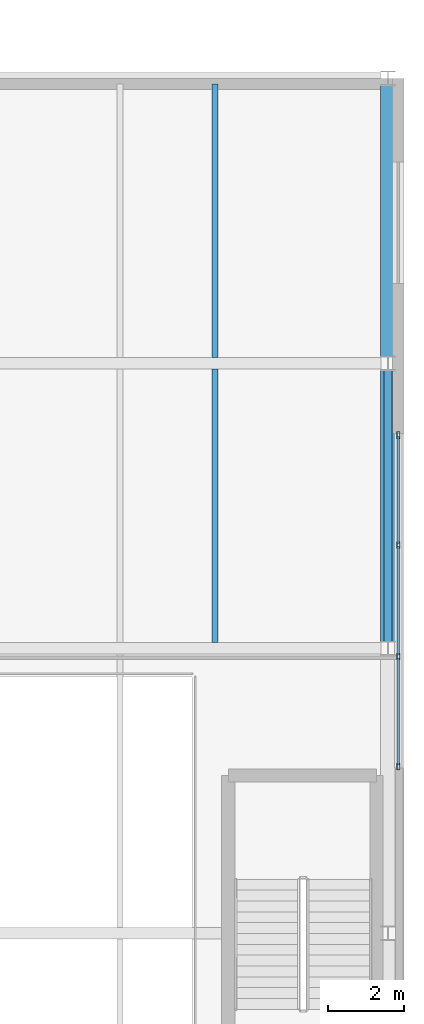
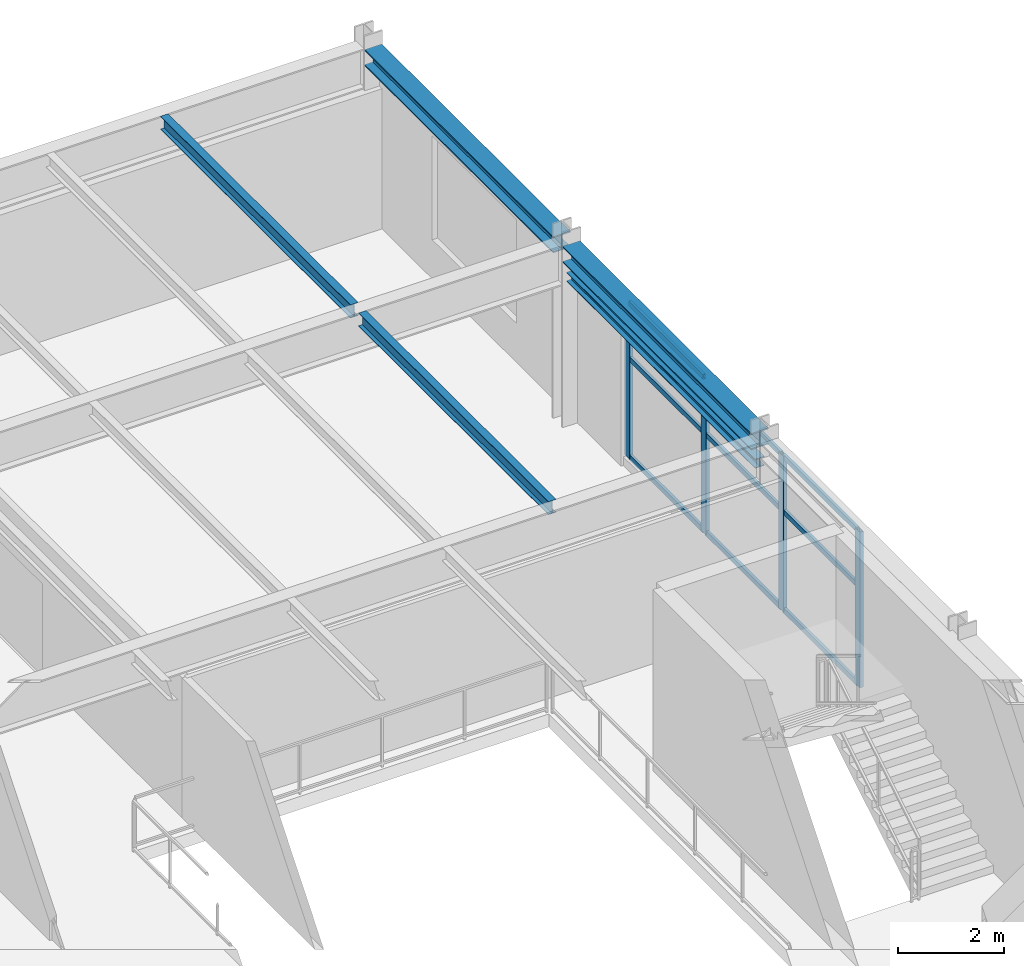
# One storey, part 9 of 16: 13 members, 5 beams, 1 element without a shape of its own.
"""IFC4 building model written with IfcOpenShell, lengths in metres."""

from ifc_helpers import new_model, si_unit, direction, frame, origin, origin_2d, place, context, subcontext, project, spatial, hollow_rectangle, i_section, extrude, material, layer, layer_set, material_profile, profile_set, type_object, element, aggregate, save


model = new_model("IFC4")

# Units and contexts
model_context = context("Model", 3, precision=1e-05, world=origin(), true_north=direction((0.0, 1.0)))
body_context = subcontext(model_context, "Body", "Model", "MODEL_VIEW")
ifc_project = project(units=[si_unit("LENGTHUNIT", "METRE"), si_unit("AREAUNIT", "SQUARE_METRE"), si_unit("VOLUMEUNIT", "CUBIC_METRE"), si_unit("PLANEANGLEUNIT", "RADIAN"), si_unit("MASSUNIT", "GRAM", prefix="KILO")], contexts=[model_context])

# Site, building, storey
site_placement = place(None, origin())
site = spatial("IfcSite", under=ifc_project, at=site_placement, CompositionType="ELEMENT")
building_placement = place(site_placement, origin())
building = spatial("IfcBuilding", under=site, at=building_placement, Name="Mersakhor Tower and Convention Hall", CompositionType="ELEMENT")
storey_placement = place(building_placement, frame((0.0, 0.0, 5.10009765625)))
storey = spatial("IfcBuildingStorey", under=building, at=storey_placement, Name="L01", CompositionType="ELEMENT", Elevation=5.10009765625)

# Beams
ifc_material_1 = material(Name="Steel S355", Category="steel")
ifc_material_profile_1 = material_profile(ifc_material_1, i_section(OverallWidth=0.165771484375, OverallDepth=0.306640625, WebThickness=0.006591796875, FlangeThickness=0.01171875, at=origin_2d()), Name="UB 305x165x46")
ifc_profile_set_1 = profile_set([ifc_material_profile_1], Name="Steel S355")
beam_type_1 = type_object("IfcBeamType", Name="BM-JST-305", PredefinedType="JOIST", material=ifc_profile_set_1)
for number, where, z_axis, x_axis, name in (
    (1, (72.10009765625, 33.40380859375, 4.026611328125), (0.0, 1.0, 0.0), (-1.0, 0.0, 0.0), "Convention L01 Composite Floor Joist CJ-5-72"),
    (2, (72.10009765625, 40.90380859375, 4.026611328125), (0.0, 1.0, 0.0), (-1.0, 0.0, 0.0), "Convention L01 Composite Floor Joist CJ-6-72"),
):
    element("IfcBeam", number, at=place(storey_placement, frame(where, z_axis=z_axis, x_axis=x_axis)), inside=storey, type_object=beam_type_1, Name=name, PredefinedType="JOIST", context=body_context, shape_type="SweptSolid", body=[
        extrude(i_section(OverallWidth=0.165771484375, OverallDepth=0.306640625, WebThickness=0.006591796875, FlangeThickness=0.01171875, at=origin_2d()), origin(), (0.0, 0.0, 1.0), 7.1923828125),
    ])
ifc_material_2 = material(Name="Steel S355", Category="steel")
ifc_material_profile_2 = material_profile(ifc_material_2, i_section(OverallWidth=0.205810546875, OverallDepth=0.209716796875, WebThickness=0.009521484375, FlangeThickness=0.01416015625, at=origin_2d()), Name="UC 203x203x60")
ifc_profile_set_2 = profile_set([ifc_material_profile_2], Name="Steel S355")
beam_type_2 = type_object("IfcBeamType", Name="BM-LNT-UC203", PredefinedType="LINTEL", material=ifc_profile_set_2)
beam_placement = place(storey_placement, frame((76.64990234375, 33.429931640625, 3.449951171875), z_axis=(0.0, 1.0, 0.0), x_axis=(-1.0, 0.0, 0.0)))
element("IfcBeam", 3, at=beam_placement, inside=storey, type_object=beam_type_2, Name="Convention L01 Opening Lintel Beam LNT-5", PredefinedType="LINTEL", context=body_context, shape_type="SweptSolid", body=[
    extrude(i_section(OverallWidth=0.205810546875, OverallDepth=0.209716796875, WebThickness=0.009521484375, FlangeThickness=0.01416015625, at=origin_2d()), origin(), (0.0, 0.0, 1.0), 7.14013671875),
])
ifc_material_3 = material(Name="Steel S355", Category="steel")
ifc_material_profile_3 = material_profile(ifc_material_3, i_section(OverallWidth=0.374755859375, OverallDepth=0.37451171875, WebThickness=0.0166015625, FlangeThickness=0.027099609375, at=origin_2d()), Name="UC 356x368x202")
ifc_profile_set_3 = profile_set([ifc_material_profile_3], Name="Steel S355")
beam_type_3 = type_object("IfcBeamType", Name="BM-SPD-UC356", PredefinedType="SPANDREL", material=ifc_profile_set_3)
for number, where, z_axis, x_axis, name in (
    (4, (76.64990234375, 33.429931640625, 3.992919921875), (0.0, 1.0, 0.0), (-1.0, 0.0, 0.0), "Convention L01 Edge Spandrel E5"),
    (5, (76.64990234375, 40.929931640625, 3.992919921875), (0.0, 1.0, 0.0), (-1.0, 0.0, 0.0), "Convention L01 Edge Spandrel E6"),
):
    element("IfcBeam", number, at=place(storey_placement, frame(where, z_axis=z_axis, x_axis=x_axis)), inside=storey, type_object=beam_type_3, Name=name, PredefinedType="SPANDREL", context=body_context, shape_type="SweptSolid", body=[
        extrude(i_section(OverallWidth=0.374755859375, OverallDepth=0.37451171875, WebThickness=0.0166015625, FlangeThickness=0.027099609375, at=origin_2d()), origin(), (0.0, 0.0, 1.0), 7.14013671875),
    ])

# Curtain wall, members
ifc_material_4 = material(Name="Dark solar low-E aluminium curtain wall", Category="aluminium")
ifc_layer = layer(ifc_material_4, 0.219970703125)
ifc_layer_set = layer_set([ifc_layer], Name="Dark solar low-E aluminium curtain wall")
curtain_wall_type = type_object("IfcCurtainWallType", Name="CW-SYS-07", PredefinedType="USERDEFINED", material=ifc_layer_set)
curtain_wall_placement = place(storey_placement, origin())
curtain_wall = element("IfcCurtainWall", 6, at=curtain_wall_placement, inside=storey, type_object=curtain_wall_type, Name="Convention L01 East Curtain Wall", ObjectType="CURTAIN WALL", PredefinedType="USERDEFINED")
ifc_material_5 = material(Name="Anodised aluminium EN AW-6063 T6", Category="aluminium")
ifc_material_profile_4 = material_profile(ifc_material_5, hollow_rectangle(XDim=0.080078125, YDim=0.179931640625, WallThickness=0.008056640625, at=origin_2d()), Name="RHS 180x80x8")
ifc_profile_set_4 = profile_set([ifc_material_profile_4], Name="Anodised aluminium EN AW-6063 T6")
member_type_1 = type_object("IfcMemberType", Name="CWM-180x80", PredefinedType="MULLION", material=ifc_profile_set_4)
member_1_placement = place(storey_placement, frame((76.925048828125, 38.860107421875, 0.199951171875), z_axis=(0.0, 0.0, 1.0), x_axis=(1.0, 0.0, 0.0)))
member_1 = element("IfcMember", 7, at=member_1_placement, type_object=member_type_1, Name="CW-07 mullion 1", PredefinedType="MULLION", context=body_context, shape_type="SweptSolid", body=[
    extrude(hollow_rectangle(XDim=0.080078125, YDim=0.179931640625, WallThickness=0.008056640625, at=origin_2d()), origin(), (0.0, 0.0, 1.0), 3.599853515625),
])
member_2_placement = place(storey_placement, frame((76.925048828125, 35.966552734375, 0.199951171875), z_axis=(0.0, 0.0, 1.0), x_axis=(1.0, 0.0, 0.0)))
member_2 = element("IfcMember", 8, at=member_2_placement, type_object=member_type_1, Name="CW-07 mullion 2", PredefinedType="MULLION", context=body_context, shape_type="SweptSolid", body=[
    extrude(hollow_rectangle(XDim=0.080078125, YDim=0.179931640625, WallThickness=0.008056640625, at=origin_2d()), origin(), (0.0, 0.0, 1.0), 3.599853515625),
])
member_3_placement = place(storey_placement, frame((76.925048828125, 33.033447265625, 0.199951171875), z_axis=(0.0, 0.0, 1.0), x_axis=(1.0, 0.0, 0.0)))
member_3 = element("IfcMember", 9, at=member_3_placement, type_object=member_type_1, Name="CW-07 mullion 3", PredefinedType="MULLION", context=body_context, shape_type="SweptSolid", body=[
    extrude(hollow_rectangle(XDim=0.080078125, YDim=0.179931640625, WallThickness=0.008056640625, at=origin_2d()), origin(), (0.0, 0.0, 1.0), 3.599853515625),
])
member_4_placement = place(storey_placement, frame((76.925048828125, 30.139892578125, 0.199951171875), z_axis=(0.0, 0.0, 1.0), x_axis=(1.0, 0.0, 0.0)))
member_4 = element("IfcMember", 10, at=member_4_placement, type_object=member_type_1, Name="CW-07 mullion 4", PredefinedType="MULLION", context=body_context, shape_type="SweptSolid", body=[
    extrude(hollow_rectangle(XDim=0.080078125, YDim=0.179931640625, WallThickness=0.008056640625, at=origin_2d()), origin(), (0.0, 0.0, 1.0), 3.599853515625),
])
ifc_material_6 = material(Name="Anodised aluminium EN AW-6063 T6", Category="aluminium")
ifc_material_profile_5 = material_profile(ifc_material_6, hollow_rectangle(XDim=0.06005859375, YDim=0.1201171875, WallThickness=0.0048828125, at=origin_2d()), Name="RHS 120x60x5")
ifc_profile_set_5 = profile_set([ifc_material_profile_5], Name="Anodised aluminium EN AW-6063 T6")
member_type_2 = type_object("IfcMemberType", Name="CWT-120x60", PredefinedType="USERDEFINED", material=ifc_profile_set_5)
member_5_placement = place(storey_placement, frame((76.925048828125, 38.820068359375, 0.22998046875), z_axis=(0.0, -1.0, 0.0), x_axis=(1.0, 0.0, 0.0)))
member_5 = element("IfcMember", 11, at=member_5_placement, type_object=member_type_2, Name="CW-07 transom 1.1", ObjectType="TRANSOM", PredefinedType="USERDEFINED", context=body_context, shape_type="SweptSolid", body=[
    extrude(hollow_rectangle(XDim=0.06005859375, YDim=0.1201171875, WallThickness=0.0048828125, at=origin_2d()), origin(), (0.0, 0.0, 1.0), 2.8134765625),
])
member_6_placement = place(storey_placement, frame((76.925048828125, 38.820068359375, 2.5), z_axis=(0.0, -1.0, 0.0), x_axis=(1.0, 0.0, 0.0)))
member_6 = element("IfcMember", 12, at=member_6_placement, type_object=member_type_2, Name="CW-07 transom 1.2", ObjectType="TRANSOM", PredefinedType="USERDEFINED", context=body_context, shape_type="SweptSolid", body=[
    extrude(hollow_rectangle(XDim=0.06005859375, YDim=0.1201171875, WallThickness=0.0048828125, at=origin_2d()), origin(), (0.0, 0.0, 1.0), 2.8134765625),
])
member_7_placement = place(storey_placement, frame((76.925048828125, 38.820068359375, 3.77001953125), z_axis=(0.0, -1.0, 0.0), x_axis=(1.0, 0.0, 0.0)))
member_7 = element("IfcMember", 13, at=member_7_placement, type_object=member_type_2, Name="CW-07 transom 1.3", ObjectType="TRANSOM", PredefinedType="USERDEFINED", context=body_context, shape_type="SweptSolid", body=[
    extrude(hollow_rectangle(XDim=0.06005859375, YDim=0.1201171875, WallThickness=0.0048828125, at=origin_2d()), origin(), (0.0, 0.0, 1.0), 2.8134765625),
])
member_8_placement = place(storey_placement, frame((76.925048828125, 35.9267578125, 0.22998046875), z_axis=(0.0, -1.0, 0.0), x_axis=(1.0, 0.0, 0.0)))
member_8 = element("IfcMember", 14, at=member_8_placement, type_object=member_type_2, Name="CW-07 transom 2.1", ObjectType="TRANSOM", PredefinedType="USERDEFINED", context=body_context, shape_type="SweptSolid", body=[
    extrude(hollow_rectangle(XDim=0.06005859375, YDim=0.1201171875, WallThickness=0.0048828125, at=origin_2d()), origin(), (0.0, 0.0, 1.0), 2.853515625),
])
member_9_placement = place(storey_placement, frame((76.925048828125, 35.9267578125, 2.5), z_axis=(0.0, -1.0, 0.0), x_axis=(1.0, 0.0, 0.0)))
member_9 = element("IfcMember", 15, at=member_9_placement, type_object=member_type_2, Name="CW-07 transom 2.2", ObjectType="TRANSOM", PredefinedType="USERDEFINED", context=body_context, shape_type="SweptSolid", body=[
    extrude(hollow_rectangle(XDim=0.06005859375, YDim=0.1201171875, WallThickness=0.0048828125, at=origin_2d()), origin(), (0.0, 0.0, 1.0), 2.853515625),
])
member_10_placement = place(storey_placement, frame((76.925048828125, 35.9267578125, 3.77001953125), z_axis=(0.0, -1.0, 0.0), x_axis=(1.0, 0.0, 0.0)))
member_10 = element("IfcMember", 16, at=member_10_placement, type_object=member_type_2, Name="CW-07 transom 2.3", ObjectType="TRANSOM", PredefinedType="USERDEFINED", context=body_context, shape_type="SweptSolid", body=[
    extrude(hollow_rectangle(XDim=0.06005859375, YDim=0.1201171875, WallThickness=0.0048828125, at=origin_2d()), origin(), (0.0, 0.0, 1.0), 2.853515625),
])
member_11_placement = place(storey_placement, frame((76.925048828125, 32.993408203125, 0.22998046875), z_axis=(0.0, -1.0, 0.0), x_axis=(1.0, 0.0, 0.0)))
member_11 = element("IfcMember", 17, at=member_11_placement, type_object=member_type_2, Name="CW-07 transom 3.1", ObjectType="TRANSOM", PredefinedType="USERDEFINED", context=body_context, shape_type="SweptSolid", body=[
    extrude(hollow_rectangle(XDim=0.06005859375, YDim=0.1201171875, WallThickness=0.0048828125, at=origin_2d()), origin(), (0.0, 0.0, 1.0), 2.8134765625),
])
member_12_placement = place(storey_placement, frame((76.925048828125, 32.993408203125, 2.5), z_axis=(0.0, -1.0, 0.0), x_axis=(1.0, 0.0, 0.0)))
member_12 = element("IfcMember", 18, at=member_12_placement, type_object=member_type_2, Name="CW-07 transom 3.2", ObjectType="TRANSOM", PredefinedType="USERDEFINED", context=body_context, shape_type="SweptSolid", body=[
    extrude(hollow_rectangle(XDim=0.06005859375, YDim=0.1201171875, WallThickness=0.0048828125, at=origin_2d()), origin(), (0.0, 0.0, 1.0), 2.8134765625),
])
member_13_placement = place(storey_placement, frame((76.925048828125, 32.993408203125, 3.77001953125), z_axis=(0.0, -1.0, 0.0), x_axis=(1.0, 0.0, 0.0)))
member_13 = element("IfcMember", 19, at=member_13_placement, type_object=member_type_2, Name="CW-07 transom 3.3", ObjectType="TRANSOM", PredefinedType="USERDEFINED", context=body_context, shape_type="SweptSolid", body=[
    extrude(hollow_rectangle(XDim=0.06005859375, YDim=0.1201171875, WallThickness=0.0048828125, at=origin_2d()), origin(), (0.0, 0.0, 1.0), 2.8134765625),
])
aggregate(curtain_wall, [member_1, member_2, member_3, member_4, member_5, member_6, member_7, member_8, member_9, member_10, member_11, member_12, member_13])

save(model, "model.ifc")
